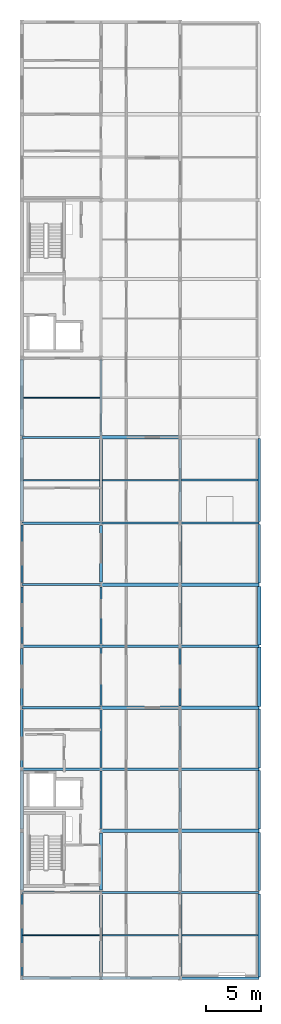
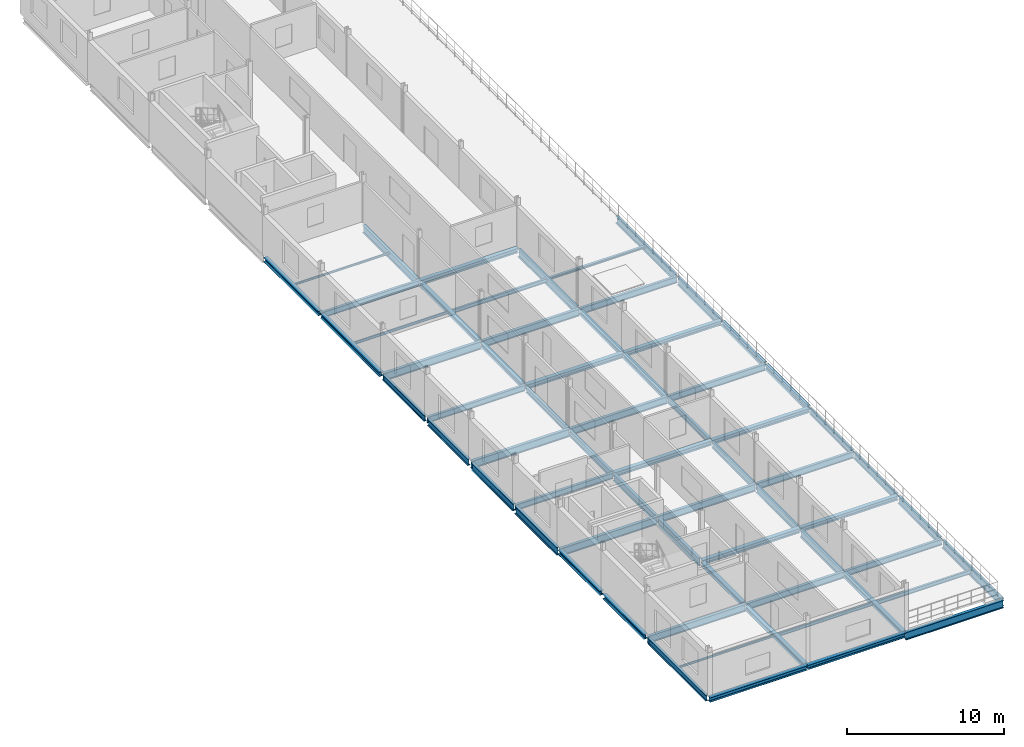
# One storey, part 5 of 14: 66 beams.
"""IFC4 building model written with IfcOpenShell, lengths in metres."""

from ifc_helpers import new_model, si_unit, direction, frame, origin, origin_2d, place, context, subcontext, project, spatial, i_section, extrude, material, material_profile, profile_set, type_object, element, save


model = new_model("IFC4")

# Units and contexts
model_context = context("Model", 3, precision=1e-05, world=origin(), true_north=direction((0.0, 1.0)))
body_context = subcontext(model_context, "Body", "Model", "MODEL_VIEW")
ifc_project = project(units=[si_unit("LENGTHUNIT", "METRE"), si_unit("AREAUNIT", "SQUARE_METRE"), si_unit("VOLUMEUNIT", "CUBIC_METRE"), si_unit("PLANEANGLEUNIT", "RADIAN"), si_unit("MASSUNIT", "GRAM", prefix="KILO")], contexts=[model_context])

# Site, building, storey
site_placement = place(None, origin())
site = spatial("IfcSite", under=ifc_project, at=site_placement, CompositionType="ELEMENT")
building_placement = place(site_placement, origin())
building = spatial("IfcBuilding", under=site, at=building_placement, Name="Vinh Khe Railworks Police Headquarters", CompositionType="ELEMENT")
storey_placement = place(building_placement, frame((0.0, 0.0, 32.699951171875)))
storey = spatial("IfcBuildingStorey", under=building, at=storey_placement, Name="L08", CompositionType="ELEMENT", Elevation=32.699951171875)

# Beams
ifc_material = material(Name="Steel S355JR", Category="steel")
ifc_material_profile_1 = material_profile(ifc_material, i_section(OverallWidth=0.179931640625, OverallDepth=0.1708984375, WebThickness=0.006103515625, FlangeThickness=0.009521484375, FilletRadius=0.014892578125, at=origin_2d()), Name="HEA 180")
ifc_profile_set_1 = profile_set([ifc_material_profile_1], Name="Steel S355JR")
beam_type_1 = type_object("IfcBeamType", Name="Secondary Joist HEA 180", PredefinedType="JOIST", material=ifc_profile_set_1)
beam_1_placement = place(storey_placement, frame((15.110107421875, 62.699951171875, -0.265380859375), z_axis=(1.0, 0.0, 0.0), x_axis=(0.0, 1.0, 0.0)))
element("IfcBeam", 1, at=beam_1_placement, inside=storey, type_object=beam_type_1, Name="Secondary Joist JST-L08-SJ-10-0081", PredefinedType="JOIST", context=body_context, shape_type="SweptSolid", body=[
    extrude(i_section(OverallWidth=0.179931640625, OverallDepth=0.1708984375, WebThickness=0.006103515625, FlangeThickness=0.009521484375, FilletRadius=0.014892578125, at=origin_2d()), origin(), (0.0, 0.0, 1.0), 6.98486328125),
])
ifc_material_profile_2 = material_profile(ifc_material, i_section(OverallWidth=0.08203125, OverallDepth=0.159912109375, WebThickness=0.0048828125, FlangeThickness=0.00732421875, FilletRadius=0.009033203125, at=origin_2d()), Name="IPE 160")
ifc_profile_set_2 = profile_set([ifc_material_profile_2], Name="Steel S355JR")
beam_type_2 = type_object("IfcBeamType", Name="Secondary Joist IPE 160", PredefinedType="JOIST", material=ifc_profile_set_2)
beam_2_placement = place(storey_placement, frame((0.695068359375, 21.300048828125, -0.260009765625), z_axis=(1.0, 0.0, 0.0), x_axis=(0.0, 1.0, 0.0)))
element("IfcBeam", 2, at=beam_2_placement, inside=storey, type_object=beam_type_2, Name="Secondary Joist JST-L08-SJ-08-0068", PredefinedType="JOIST", context=body_context, shape_type="SweptSolid", body=[
    extrude(i_section(OverallWidth=0.08203125, OverallDepth=0.159912109375, WebThickness=0.0048828125, FlangeThickness=0.00732421875, FilletRadius=0.009033203125, at=origin_2d()), origin(), (0.0, 0.0, 1.0), 6.954833984375),
])
beam_3_placement = place(storey_placement, frame((0.75, 70.199951171875, -0.260009765625), z_axis=(1.0, 0.0, 0.0), x_axis=(0.0, 1.0, 0.0)))
element("IfcBeam", 3, at=beam_3_placement, inside=storey, type_object=beam_type_2, Name="Secondary Joist JST-L08-SJ-08-0070", PredefinedType="JOIST", context=body_context, shape_type="SweptSolid", body=[
    extrude(i_section(OverallWidth=0.08203125, OverallDepth=0.159912109375, WebThickness=0.0048828125, FlangeThickness=0.00732421875, FilletRadius=0.009033203125, at=origin_2d()), origin(), (0.0, 0.0, 1.0), 6.93994140625),
])
ifc_material_profile_3 = material_profile(ifc_material, i_section(OverallWidth=0.10009765625, OverallDepth=0.199951171875, WebThickness=0.005615234375, FlangeThickness=0.008544921875, FilletRadius=0.011962890625, at=origin_2d()), Name="IPE 200")
ifc_profile_set_3 = profile_set([ifc_material_profile_3], Name="Steel S355JR")
beam_type_3 = type_object("IfcBeamType", Name="Secondary Joist IPE 200", PredefinedType="JOIST", material=ifc_profile_set_3)
beam_4_placement = place(storey_placement, frame((0.75, 62.699951171875, -0.280029296875), z_axis=(1.0, 0.0, 0.0), x_axis=(0.0, 1.0, 0.0)))
element("IfcBeam", 4, at=beam_4_placement, inside=storey, type_object=beam_type_3, Name="Secondary Joist JST-L08-SJ-06-0069", PredefinedType="JOIST", context=body_context, shape_type="SweptSolid", body=[
    extrude(i_section(OverallWidth=0.10009765625, OverallDepth=0.199951171875, WebThickness=0.005615234375, FlangeThickness=0.008544921875, FilletRadius=0.011962890625, at=origin_2d()), origin(), (0.0, 0.0, 1.0), 6.89990234375),
])
ifc_material_profile_4 = material_profile(ifc_material, i_section(OverallWidth=0.1201171875, OverallDepth=0.239990234375, WebThickness=0.006103515625, FlangeThickness=0.009765625, FilletRadius=0.014892578125, at=origin_2d()), Name="IPE 240")
ifc_profile_set_4 = profile_set([ifc_material_profile_4], Name="Steel S355JR")
beam_type_4 = type_object("IfcBeamType", Name="Secondary Joist IPE 240", PredefinedType="JOIST", material=ifc_profile_set_4)
beam_5_placement = place(storey_placement, frame((7.949951171875, 21.300048828125, -0.300048828125), z_axis=(1.0, 0.0, 0.0), x_axis=(0.0, 1.0, 0.0)))
element("IfcBeam", 5, at=beam_5_placement, inside=storey, type_object=beam_type_4, Name="Secondary Joist JST-L08-SJ-04-0073", PredefinedType="JOIST", context=body_context, shape_type="SweptSolid", body=[
    extrude(i_section(OverallWidth=0.1201171875, OverallDepth=0.239990234375, WebThickness=0.006103515625, FlangeThickness=0.009765625, FilletRadius=0.014892578125, at=origin_2d()), origin(), (0.0, 0.0, 1.0), 6.900146484375),
])
ifc_material_profile_5 = material_profile(ifc_material, i_section(OverallWidth=0.14990234375, OverallDepth=0.300048828125, WebThickness=0.007080078125, FlangeThickness=0.0107421875, FilletRadius=0.014892578125, at=origin_2d()), Name="IPE 300")
ifc_profile_set_5 = profile_set([ifc_material_profile_5], Name="Steel S355JR")
beam_type_5 = type_object("IfcBeamType", Name="Secondary Joist IPE 300", PredefinedType="JOIST", material=ifc_profile_set_5)
beam_6_placement = place(storey_placement, frame((7.949951171875, 62.699951171875, -0.329833984375), z_axis=(1.0, 0.0, 0.0), x_axis=(0.0, 1.0, 0.0)))
element("IfcBeam", 6, at=beam_6_placement, inside=storey, type_object=beam_type_5, Name="Secondary Joist JST-L08-SJ-02-0074", PredefinedType="JOIST", context=body_context, shape_type="SweptSolid", body=[
    extrude(i_section(OverallWidth=0.14990234375, OverallDepth=0.300048828125, WebThickness=0.007080078125, FlangeThickness=0.0107421875, FilletRadius=0.014892578125, at=origin_2d()), origin(), (0.0, 0.0, 1.0), 6.93994140625),
])
beam_7_placement = place(storey_placement, frame((15.14990234375, 21.300048828125, -0.329833984375), z_axis=(1.0, 0.0, 0.0), x_axis=(0.0, 1.0, 0.0)))
element("IfcBeam", 7, at=beam_7_placement, inside=storey, type_object=beam_type_5, Name="Secondary Joist JST-L08-SJ-02-0080", PredefinedType="JOIST", context=body_context, shape_type="SweptSolid", body=[
    extrude(i_section(OverallWidth=0.14990234375, OverallDepth=0.300048828125, WebThickness=0.007080078125, FlangeThickness=0.0107421875, FilletRadius=0.014892578125, at=origin_2d()), origin(), (0.0, 0.0, 1.0), 6.940185546875),
])
ifc_material_profile_6 = material_profile(ifc_material, i_section(OverallWidth=0.300048828125, OverallDepth=0.330078125, WebThickness=0.009521484375, FlangeThickness=0.0166015625, FilletRadius=0.027099609375, at=origin_2d()), Name="HEA 340")
ifc_profile_set_6 = profile_set([ifc_material_profile_6], Name="Steel S355JR")
beam_type_6 = type_object("IfcBeamType", Name="Steel Girder HEA 340", PredefinedType="BEAM", material=ifc_profile_set_6)
for number, where, z_axis, x_axis, name in (
    (8, (7.820068359375, 17.39990234375, -0.344970703125), (1.0, 0.0, 0.0), (0.0, 1.0, 0.0), "Girder BM-L08-EW-SB-16-1934"),
    (9, (15.02001953125, 30.800048828125, -0.344970703125), (1.0, 0.0, 0.0), (0.0, 1.0, 0.0), "Girder BM-L08-EW-SB-16-1940"),
    (10, (15.02001953125, 42.0, -0.344970703125), (1.0, 0.0, 0.0), (0.0, 1.0, 0.0), "Girder BM-L08-EW-SB-16-1946"),
    (11, (15.02001953125, 53.199951171875, -0.344970703125), (1.0, 0.0, 0.0), (0.0, 1.0, 0.0), "Girder BM-L08-EW-SB-16-1952"),
):
    element("IfcBeam", number, at=place(storey_placement, frame(where, z_axis=z_axis, x_axis=x_axis)), inside=storey, type_object=beam_type_6, Name=name, PredefinedType="BEAM", context=body_context, shape_type="SweptSolid", body=[
        extrude(i_section(OverallWidth=0.300048828125, OverallDepth=0.330078125, WebThickness=0.009521484375, FlangeThickness=0.0166015625, FilletRadius=0.027099609375, at=origin_2d()), origin(), (0.0, 0.0, 1.0), 7.159912109375),
    ])
beam_8_placement = place(storey_placement, frame((0.60009765625, 30.97509765625, -0.344970703125), z_axis=(0.0, 1.0, 0.0), x_axis=(-1.0, 0.0, 0.0)))
element("IfcBeam", 12, at=beam_8_placement, inside=storey, type_object=beam_type_6, Name="Girder BM-L08-NS-SB-16-1976", PredefinedType="BEAM", context=body_context, shape_type="SweptSolid", body=[
    extrude(i_section(OverallWidth=0.300048828125, OverallDepth=0.330078125, WebThickness=0.009521484375, FlangeThickness=0.0166015625, FilletRadius=0.027099609375, at=origin_2d()), origin(), (0.0, 0.0, 1.0), 5.294921875),
])
beam_9_placement = place(storey_placement, frame((0.60009765625, 66.72998046875, -0.344970703125), z_axis=(0.0, 1.0, 0.0), x_axis=(-1.0, 0.0, 0.0)))
element("IfcBeam", 13, at=beam_9_placement, inside=storey, type_object=beam_type_6, Name="Girder BM-L08-NS-SB-16-1982", PredefinedType="BEAM", context=body_context, shape_type="SweptSolid", body=[
    extrude(i_section(OverallWidth=0.300048828125, OverallDepth=0.330078125, WebThickness=0.009521484375, FlangeThickness=0.0166015625, FilletRadius=0.027099609375, at=origin_2d()), origin(), (0.0, 0.0, 1.0), 6.9599609375),
])
beam_10_placement = place(storey_placement, frame((7.800048828125, 25.425048828125, -0.344970703125), z_axis=(0.0, 1.0, 0.0), x_axis=(-1.0, 0.0, 0.0)))
element("IfcBeam", 14, at=beam_10_placement, inside=storey, type_object=beam_type_6, Name="Girder BM-L08-NS-SB-16-1988", PredefinedType="BEAM", context=body_context, shape_type="SweptSolid", body=[
    extrude(i_section(OverallWidth=0.300048828125, OverallDepth=0.330078125, WebThickness=0.009521484375, FlangeThickness=0.0166015625, FilletRadius=0.027099609375, at=origin_2d()), origin(), (0.0, 0.0, 1.0), 5.175048828125),
])
beam_11_placement = place(storey_placement, frame((7.800048828125, 59.0, -0.344970703125), z_axis=(0.0, 1.0, 0.0), x_axis=(-1.0, 0.0, 0.0)))
element("IfcBeam", 15, at=beam_11_placement, inside=storey, type_object=beam_type_6, Name="Girder BM-L08-NS-SB-16-1994", PredefinedType="BEAM", context=body_context, shape_type="SweptSolid", body=[
    extrude(i_section(OverallWidth=0.300048828125, OverallDepth=0.330078125, WebThickness=0.009521484375, FlangeThickness=0.0166015625, FilletRadius=0.027099609375, at=origin_2d()), origin(), (0.0, 0.0, 1.0), 7.425048828125),
])
beam_12_placement = place(storey_placement, frame((15.0, 17.530029296875, -0.344970703125), z_axis=(0.0, 1.0, 0.0), x_axis=(-1.0, 0.0, 0.0)))
element("IfcBeam", 16, at=beam_12_placement, inside=storey, type_object=beam_type_6, Name="Girder BM-L08-NS-SB-16-2000", PredefinedType="BEAM", context=body_context, shape_type="SweptSolid", body=[
    extrude(i_section(OverallWidth=0.300048828125, OverallDepth=0.330078125, WebThickness=0.009521484375, FlangeThickness=0.0166015625, FilletRadius=0.027099609375, at=origin_2d()), origin(), (0.0, 0.0, 1.0), 7.56005859375),
])
beam_13_placement = place(storey_placement, frame((15.0, 53.31005859375, -0.344970703125), z_axis=(0.0, 1.0, 0.0), x_axis=(-1.0, 0.0, 0.0)))
element("IfcBeam", 17, at=beam_13_placement, inside=storey, type_object=beam_type_6, Name="Girder BM-L08-NS-SB-16-2006", PredefinedType="BEAM", context=body_context, shape_type="SweptSolid", body=[
    extrude(i_section(OverallWidth=0.300048828125, OverallDepth=0.330078125, WebThickness=0.009521484375, FlangeThickness=0.0166015625, FilletRadius=0.027099609375, at=origin_2d()), origin(), (0.0, 0.0, 1.0), 5.264892578125),
])
beam_14_placement = place(storey_placement, frame((22.199951171875, 47.695068359375, -0.344970703125), z_axis=(0.0, 1.0, 0.0), x_axis=(-1.0, 0.0, 0.0)))
element("IfcBeam", 18, at=beam_14_placement, inside=storey, type_object=beam_type_6, Name="Girder BM-L08-NS-SB-16-2018", PredefinedType="BEAM", context=body_context, shape_type="SweptSolid", body=[
    extrude(i_section(OverallWidth=0.300048828125, OverallDepth=0.330078125, WebThickness=0.009521484375, FlangeThickness=0.0166015625, FilletRadius=0.027099609375, at=origin_2d()), origin(), (0.0, 0.0, 1.0), 5.349853515625),
])
ifc_material_profile_7 = material_profile(ifc_material, i_section(OverallWidth=0.300048828125, OverallDepth=0.35009765625, WebThickness=0.010009765625, FlangeThickness=0.017578125, FilletRadius=0.027099609375, at=origin_2d()), Name="HEA 360")
ifc_profile_set_7 = profile_set([ifc_material_profile_7], Name="Steel S355JR")
beam_type_7 = type_object("IfcBeamType", Name="Steel Girder HEA 360", PredefinedType="BEAM", material=ifc_profile_set_7)
for number, where, z_axis, x_axis, name in (
    (19, (0.6201171875, 17.39990234375, -0.35498046875), (1.0, 0.0, 0.0), (0.0, 1.0, 0.0), "Girder BM-L08-EW-SB-15-1933"),
    (20, (7.820068359375, 30.800048828125, -0.35498046875), (1.0, 0.0, 0.0), (0.0, 1.0, 0.0), "Girder BM-L08-EW-SB-15-1939"),
    (21, (7.820068359375, 42.0, -0.35498046875), (1.0, 0.0, 0.0), (0.0, 1.0, 0.0), "Girder BM-L08-EW-SB-15-1945"),
    (22, (7.820068359375, 53.199951171875, -0.35498046875), (1.0, 0.0, 0.0), (0.0, 1.0, 0.0), "Girder BM-L08-EW-SB-15-1951"),
    (23, (7.820068359375, 66.60009765625, -0.35498046875), (1.0, 0.0, 0.0), (0.0, 1.0, 0.0), "Girder BM-L08-EW-SB-15-1957"),
):
    element("IfcBeam", number, at=place(storey_placement, frame(where, z_axis=z_axis, x_axis=x_axis)), inside=storey, type_object=beam_type_7, Name=name, PredefinedType="BEAM", context=body_context, shape_type="SweptSolid", body=[
        extrude(i_section(OverallWidth=0.300048828125, OverallDepth=0.35009765625, WebThickness=0.010009765625, FlangeThickness=0.017578125, FilletRadius=0.027099609375, at=origin_2d()), origin(), (0.0, 0.0, 1.0), 7.159912109375),
    ])
beam_15_placement = place(storey_placement, frame((0.60009765625, 25.39990234375, -0.35498046875), z_axis=(0.0, 1.0, 0.0), x_axis=(-1.0, 0.0, 0.0)))
element("IfcBeam", 24, at=beam_15_placement, inside=storey, type_object=beam_type_7, Name="Girder BM-L08-NS-SB-15-1975", PredefinedType="BEAM", context=body_context, shape_type="SweptSolid", body=[
    extrude(i_section(OverallWidth=0.300048828125, OverallDepth=0.35009765625, WebThickness=0.010009765625, FlangeThickness=0.017578125, FilletRadius=0.027099609375, at=origin_2d()), origin(), (0.0, 0.0, 1.0), 5.22509765625),
])
beam_16_placement = place(storey_placement, frame((0.60009765625, 58.97509765625, -0.35498046875), z_axis=(0.0, 1.0, 0.0), x_axis=(-1.0, 0.0, 0.0)))
element("IfcBeam", 25, at=beam_16_placement, inside=storey, type_object=beam_type_7, Name="Girder BM-L08-NS-SB-15-1981", PredefinedType="BEAM", context=body_context, shape_type="SweptSolid", body=[
    extrude(i_section(OverallWidth=0.300048828125, OverallDepth=0.35009765625, WebThickness=0.010009765625, FlangeThickness=0.017578125, FilletRadius=0.027099609375, at=origin_2d()), origin(), (0.0, 0.0, 1.0), 7.494873046875),
])
beam_17_placement = place(storey_placement, frame((7.800048828125, 17.510009765625, -0.35498046875), z_axis=(0.0, 1.0, 0.0), x_axis=(-1.0, 0.0, 0.0)))
element("IfcBeam", 26, at=beam_17_placement, inside=storey, type_object=beam_type_7, Name="Girder BM-L08-NS-SB-15-1987", PredefinedType="BEAM", context=body_context, shape_type="SweptSolid", body=[
    extrude(i_section(OverallWidth=0.300048828125, OverallDepth=0.35009765625, WebThickness=0.010009765625, FlangeThickness=0.017578125, FilletRadius=0.027099609375, at=origin_2d()), origin(), (0.0, 0.0, 1.0), 7.465087890625),
])
beam_18_placement = place(storey_placement, frame((7.800048828125, 53.425048828125, -0.35498046875), z_axis=(0.0, 1.0, 0.0), x_axis=(-1.0, 0.0, 0.0)))
element("IfcBeam", 27, at=beam_18_placement, inside=storey, type_object=beam_type_7, Name="Girder BM-L08-NS-SB-15-1993", PredefinedType="BEAM", context=body_context, shape_type="SweptSolid", body=[
    extrude(i_section(OverallWidth=0.300048828125, OverallDepth=0.35009765625, WebThickness=0.010009765625, FlangeThickness=0.017578125, FilletRadius=0.027099609375, at=origin_2d()), origin(), (0.0, 0.0, 1.0), 5.175048828125),
])
beam_19_placement = place(storey_placement, frame((15.0, 47.72998046875, -0.35498046875), z_axis=(0.0, 1.0, 0.0), x_axis=(-1.0, 0.0, 0.0)))
element("IfcBeam", 28, at=beam_19_placement, inside=storey, type_object=beam_type_7, Name="Girder BM-L08-NS-SB-15-2005", PredefinedType="BEAM", context=body_context, shape_type="SweptSolid", body=[
    extrude(i_section(OverallWidth=0.300048828125, OverallDepth=0.35009765625, WebThickness=0.010009765625, FlangeThickness=0.017578125, FilletRadius=0.027099609375, at=origin_2d()), origin(), (0.0, 0.0, 1.0), 5.360107421875),
])
beam_20_placement = place(storey_placement, frame((22.199951171875, 42.114990234375, -0.35498046875), z_axis=(0.0, 1.0, 0.0), x_axis=(-1.0, 0.0, 0.0)))
element("IfcBeam", 29, at=beam_20_placement, inside=storey, type_object=beam_type_7, Name="Girder BM-L08-NS-SB-15-2017", PredefinedType="BEAM", context=body_context, shape_type="SweptSolid", body=[
    extrude(i_section(OverallWidth=0.300048828125, OverallDepth=0.35009765625, WebThickness=0.010009765625, FlangeThickness=0.017578125, FilletRadius=0.027099609375, at=origin_2d()), origin(), (0.0, 0.0, 1.0), 5.389892578125),
])
ifc_material_profile_8 = material_profile(ifc_material, i_section(OverallWidth=0.18994140625, OverallDepth=0.449951171875, WebThickness=0.009521484375, FlangeThickness=0.0146484375, FilletRadius=0.02099609375, at=origin_2d()), Name="IPE 450")
ifc_profile_set_8 = profile_set([ifc_material_profile_8], Name="Steel S355JR")
beam_type_8 = type_object("IfcBeamType", Name="Steel Girder IPE 450", PredefinedType="BEAM", material=ifc_profile_set_8)
for number, where, z_axis, x_axis, name in (
    (30, (15.02001953125, 25.199951171875, -0.405029296875), (1.0, 0.0, 0.0), (0.0, 1.0, 0.0), "Girder BM-L08-EW-SB-20-1938"),
    (31, (0.6201171875, 42.0, -0.405029296875), (1.0, 0.0, 0.0), (0.0, 1.0, 0.0), "Girder BM-L08-EW-SB-20-1944"),
    (32, (0.6201171875, 53.199951171875, -0.405029296875), (1.0, 0.0, 0.0), (0.0, 1.0, 0.0), "Girder BM-L08-EW-SB-20-1950"),
    (33, (0.6201171875, 66.60009765625, -0.405029296875), (1.0, 0.0, 0.0), (0.0, 1.0, 0.0), "Girder BM-L08-EW-SB-20-1956"),
):
    element("IfcBeam", number, at=place(storey_placement, frame(where, z_axis=z_axis, x_axis=x_axis)), inside=storey, type_object=beam_type_8, Name=name, PredefinedType="BEAM", context=body_context, shape_type="SweptSolid", body=[
        extrude(i_section(OverallWidth=0.18994140625, OverallDepth=0.449951171875, WebThickness=0.009521484375, FlangeThickness=0.0146484375, FilletRadius=0.02099609375, at=origin_2d()), origin(), (0.0, 0.0, 1.0), 7.159912109375),
    ])
beam_21_placement = place(storey_placement, frame((0.60009765625, 17.625, -0.405029296875), z_axis=(0.0, 1.0, 0.0), x_axis=(-1.0, 0.0, 0.0)))
element("IfcBeam", 34, at=beam_21_placement, inside=storey, type_object=beam_type_8, Name="Girder BM-L08-NS-SB-20-1974", PredefinedType="BEAM", context=body_context, shape_type="SweptSolid", body=[
    extrude(i_section(OverallWidth=0.18994140625, OverallDepth=0.449951171875, WebThickness=0.009521484375, FlangeThickness=0.0146484375, FilletRadius=0.02099609375, at=origin_2d()), origin(), (0.0, 0.0, 1.0), 7.375),
])
beam_22_placement = place(storey_placement, frame((0.60009765625, 53.39990234375, -0.405029296875), z_axis=(0.0, 1.0, 0.0), x_axis=(-1.0, 0.0, 0.0)))
element("IfcBeam", 35, at=beam_22_placement, inside=storey, type_object=beam_type_8, Name="Girder BM-L08-NS-SB-20-1980", PredefinedType="BEAM", context=body_context, shape_type="SweptSolid", body=[
    extrude(i_section(OverallWidth=0.18994140625, OverallDepth=0.449951171875, WebThickness=0.009521484375, FlangeThickness=0.0146484375, FilletRadius=0.02099609375, at=origin_2d()), origin(), (0.0, 0.0, 1.0), 5.22509765625),
])
beam_23_placement = place(storey_placement, frame((7.800048828125, 47.7099609375, -0.405029296875), z_axis=(0.0, 1.0, 0.0), x_axis=(-1.0, 0.0, 0.0)))
element("IfcBeam", 36, at=beam_23_placement, inside=storey, type_object=beam_type_8, Name="Girder BM-L08-NS-SB-20-1992", PredefinedType="BEAM", context=body_context, shape_type="SweptSolid", body=[
    extrude(i_section(OverallWidth=0.18994140625, OverallDepth=0.449951171875, WebThickness=0.009521484375, FlangeThickness=0.0146484375, FilletRadius=0.02099609375, at=origin_2d()), origin(), (0.0, 0.0, 1.0), 5.26513671875),
])
beam_24_placement = place(storey_placement, frame((15.0, 42.175048828125, -0.405029296875), z_axis=(0.0, 1.0, 0.0), x_axis=(-1.0, 0.0, 0.0)))
element("IfcBeam", 37, at=beam_24_placement, inside=storey, type_object=beam_type_8, Name="Girder BM-L08-NS-SB-20-2004", PredefinedType="BEAM", context=body_context, shape_type="SweptSolid", body=[
    extrude(i_section(OverallWidth=0.18994140625, OverallDepth=0.449951171875, WebThickness=0.009521484375, FlangeThickness=0.0146484375, FilletRadius=0.02099609375, at=origin_2d()), origin(), (0.0, 0.0, 1.0), 5.294921875),
])
beam_25_placement = place(storey_placement, frame((22.199951171875, 36.52490234375, -0.405029296875), z_axis=(0.0, 1.0, 0.0), x_axis=(-1.0, 0.0, 0.0)))
element("IfcBeam", 38, at=beam_25_placement, inside=storey, type_object=beam_type_8, Name="Girder BM-L08-NS-SB-20-2016", PredefinedType="BEAM", context=body_context, shape_type="SweptSolid", body=[
    extrude(i_section(OverallWidth=0.18994140625, OverallDepth=0.449951171875, WebThickness=0.009521484375, FlangeThickness=0.0146484375, FilletRadius=0.02099609375, at=origin_2d()), origin(), (0.0, 0.0, 1.0), 5.360107421875),
])
ifc_material_profile_9 = material_profile(ifc_material, i_section(OverallWidth=0.199951171875, OverallDepth=0.5, WebThickness=0.01025390625, FlangeThickness=0.01611328125, FilletRadius=0.02099609375, at=origin_2d()), Name="IPE 500")
ifc_profile_set_9 = profile_set([ifc_material_profile_9], Name="Steel S355JR")
beam_type_9 = type_object("IfcBeamType", Name="Steel Girder IPE 500", PredefinedType="BEAM", material=ifc_profile_set_9)
for number, where, z_axis, x_axis, name in (
    (39, (7.820068359375, 25.199951171875, -0.429931640625), (1.0, 0.0, 0.0), (0.0, 1.0, 0.0), "Girder BM-L08-EW-SB-19-1937"),
    (40, (15.02001953125, 36.39990234375, -0.429931640625), (1.0, 0.0, 0.0), (0.0, 1.0, 0.0), "Girder BM-L08-EW-SB-19-1943"),
    (41, (15.02001953125, 47.60009765625, -0.429931640625), (1.0, 0.0, 0.0), (0.0, 1.0, 0.0), "Girder BM-L08-EW-SB-19-1949"),
    (42, (15.02001953125, 58.800048828125, -0.429931640625), (1.0, 0.0, 0.0), (0.0, 1.0, 0.0), "Girder BM-L08-EW-SB-19-1955"),
):
    element("IfcBeam", number, at=place(storey_placement, frame(where, z_axis=z_axis, x_axis=x_axis)), inside=storey, type_object=beam_type_9, Name=name, PredefinedType="BEAM", context=body_context, shape_type="SweptSolid", body=[
        extrude(i_section(OverallWidth=0.199951171875, OverallDepth=0.5, WebThickness=0.01025390625, FlangeThickness=0.01611328125, FilletRadius=0.02099609375, at=origin_2d()), origin(), (0.0, 0.0, 1.0), 7.159912109375),
    ])
beam_26_placement = place(storey_placement, frame((0.60009765625, 47.824951171875, -0.429931640625), z_axis=(0.0, 1.0, 0.0), x_axis=(-1.0, 0.0, 0.0)))
element("IfcBeam", 43, at=beam_26_placement, inside=storey, type_object=beam_type_9, Name="Girder BM-L08-NS-SB-19-1979", PredefinedType="BEAM", context=body_context, shape_type="SweptSolid", body=[
    extrude(i_section(OverallWidth=0.199951171875, OverallDepth=0.5, WebThickness=0.01025390625, FlangeThickness=0.01611328125, FilletRadius=0.02099609375, at=origin_2d()), origin(), (0.0, 0.0, 1.0), 5.175048828125),
])
beam_27_placement = place(storey_placement, frame((7.800048828125, 42.1298828125, -0.429931640625), z_axis=(0.0, 1.0, 0.0), x_axis=(-1.0, 0.0, 0.0)))
element("IfcBeam", 44, at=beam_27_placement, inside=storey, type_object=beam_type_9, Name="Girder BM-L08-NS-SB-19-1991", PredefinedType="BEAM", context=body_context, shape_type="SweptSolid", body=[
    extrude(i_section(OverallWidth=0.199951171875, OverallDepth=0.5, WebThickness=0.01025390625, FlangeThickness=0.01611328125, FilletRadius=0.02099609375, at=origin_2d()), origin(), (0.0, 0.0, 1.0), 5.360107421875),
])
beam_28_placement = place(storey_placement, frame((15.0, 36.60009765625, -0.429931640625), z_axis=(0.0, 1.0, 0.0), x_axis=(-1.0, 0.0, 0.0)))
element("IfcBeam", 45, at=beam_28_placement, inside=storey, type_object=beam_type_9, Name="Girder BM-L08-NS-SB-19-2003", PredefinedType="BEAM", context=body_context, shape_type="SweptSolid", body=[
    extrude(i_section(OverallWidth=0.199951171875, OverallDepth=0.5, WebThickness=0.01025390625, FlangeThickness=0.01611328125, FilletRadius=0.02099609375, at=origin_2d()), origin(), (0.0, 0.0, 1.0), 5.224853515625),
])
beam_29_placement = place(storey_placement, frame((22.199951171875, 30.945068359375, -0.429931640625), z_axis=(0.0, 1.0, 0.0), x_axis=(-1.0, 0.0, 0.0)))
element("IfcBeam", 46, at=beam_29_placement, inside=storey, type_object=beam_type_9, Name="Girder BM-L08-NS-SB-19-2015", PredefinedType="BEAM", context=body_context, shape_type="SweptSolid", body=[
    extrude(i_section(OverallWidth=0.199951171875, OverallDepth=0.5, WebThickness=0.01025390625, FlangeThickness=0.01611328125, FilletRadius=0.02099609375, at=origin_2d()), origin(), (0.0, 0.0, 1.0), 5.329833984375),
])
ifc_material_profile_10 = material_profile(ifc_material, i_section(OverallWidth=0.2099609375, OverallDepth=0.550048828125, WebThickness=0.010986328125, FlangeThickness=0.01708984375, FilletRadius=0.02392578125, at=origin_2d()), Name="IPE 550")
ifc_profile_set_10 = profile_set([ifc_material_profile_10], Name="Steel S355JR")
beam_type_10 = type_object("IfcBeamType", Name="Steel Girder IPE 550", PredefinedType="BEAM", material=ifc_profile_set_10)
for number, where, z_axis, x_axis, name in (
    (47, (0.6201171875, 25.199951171875, -0.454833984375), (1.0, 0.0, 0.0), (0.0, 1.0, 0.0), "Girder BM-L08-EW-SB-18-1936"),
    (48, (7.820068359375, 36.39990234375, -0.454833984375), (1.0, 0.0, 0.0), (0.0, 1.0, 0.0), "Girder BM-L08-EW-SB-18-1942"),
    (49, (7.820068359375, 47.60009765625, -0.454833984375), (1.0, 0.0, 0.0), (0.0, 1.0, 0.0), "Girder BM-L08-EW-SB-18-1948"),
    (50, (7.820068359375, 58.800048828125, -0.454833984375), (1.0, 0.0, 0.0), (0.0, 1.0, 0.0), "Girder BM-L08-EW-SB-18-1954"),
):
    element("IfcBeam", number, at=place(storey_placement, frame(where, z_axis=z_axis, x_axis=x_axis)), inside=storey, type_object=beam_type_10, Name=name, PredefinedType="BEAM", context=body_context, shape_type="SweptSolid", body=[
        extrude(i_section(OverallWidth=0.2099609375, OverallDepth=0.550048828125, WebThickness=0.010986328125, FlangeThickness=0.01708984375, FilletRadius=0.02392578125, at=origin_2d()), origin(), (0.0, 0.0, 1.0), 7.159912109375),
    ])
beam_30_placement = place(storey_placement, frame((0.60009765625, 42.110107421875, -0.454833984375), z_axis=(0.0, 1.0, 0.0), x_axis=(-1.0, 0.0, 0.0)))
element("IfcBeam", 51, at=beam_30_placement, inside=storey, type_object=beam_type_10, Name="Girder BM-L08-NS-SB-18-1978", PredefinedType="BEAM", context=body_context, shape_type="SweptSolid", body=[
    extrude(i_section(OverallWidth=0.2099609375, OverallDepth=0.550048828125, WebThickness=0.010986328125, FlangeThickness=0.01708984375, FilletRadius=0.02392578125, at=origin_2d()), origin(), (0.0, 0.0, 1.0), 5.264892578125),
])
beam_31_placement = place(storey_placement, frame((7.800048828125, 36.574951171875, -0.454833984375), z_axis=(0.0, 1.0, 0.0), x_axis=(-1.0, 0.0, 0.0)))
element("IfcBeam", 52, at=beam_31_placement, inside=storey, type_object=beam_type_10, Name="Girder BM-L08-NS-SB-18-1990", PredefinedType="BEAM", context=body_context, shape_type="SweptSolid", body=[
    extrude(i_section(OverallWidth=0.2099609375, OverallDepth=0.550048828125, WebThickness=0.010986328125, FlangeThickness=0.01708984375, FilletRadius=0.02392578125, at=origin_2d()), origin(), (0.0, 0.0, 1.0), 5.295166015625),
])
beam_32_placement = place(storey_placement, frame((15.0, 31.02490234375, -0.454833984375), z_axis=(0.0, 1.0, 0.0), x_axis=(-1.0, 0.0, 0.0)))
element("IfcBeam", 53, at=beam_32_placement, inside=storey, type_object=beam_type_10, Name="Girder BM-L08-NS-SB-18-2002", PredefinedType="BEAM", context=body_context, shape_type="SweptSolid", body=[
    extrude(i_section(OverallWidth=0.2099609375, OverallDepth=0.550048828125, WebThickness=0.010986328125, FlangeThickness=0.01708984375, FilletRadius=0.02392578125, at=origin_2d()), origin(), (0.0, 0.0, 1.0), 5.175048828125),
])
beam_33_placement = place(storey_placement, frame((22.199951171875, 25.35498046875, -0.454833984375), z_axis=(0.0, 1.0, 0.0), x_axis=(-1.0, 0.0, 0.0)))
element("IfcBeam", 54, at=beam_33_placement, inside=storey, type_object=beam_type_10, Name="Girder BM-L08-NS-SB-18-2014", PredefinedType="BEAM", context=body_context, shape_type="SweptSolid", body=[
    extrude(i_section(OverallWidth=0.2099609375, OverallDepth=0.550048828125, WebThickness=0.010986328125, FlangeThickness=0.01708984375, FilletRadius=0.02392578125, at=origin_2d()), origin(), (0.0, 0.0, 1.0), 5.300048828125),
])
beam_34_placement = place(storey_placement, frame((22.199951171875, 58.945068359375, -0.454833984375), z_axis=(0.0, 1.0, 0.0), x_axis=(-1.0, 0.0, 0.0)))
element("IfcBeam", 55, at=beam_34_placement, inside=storey, type_object=beam_type_10, Name="Girder BM-L08-NS-SB-18-2020", PredefinedType="BEAM", context=body_context, shape_type="SweptSolid", body=[
    extrude(i_section(OverallWidth=0.2099609375, OverallDepth=0.550048828125, WebThickness=0.010986328125, FlangeThickness=0.01708984375, FilletRadius=0.02392578125, at=origin_2d()), origin(), (0.0, 0.0, 1.0), 7.530029296875),
])
ifc_material_profile_11 = material_profile(ifc_material, i_section(OverallWidth=0.219970703125, OverallDepth=0.60009765625, WebThickness=0.011962890625, FlangeThickness=0.01904296875, FilletRadius=0.02392578125, at=origin_2d()), Name="IPE 600")
ifc_profile_set_11 = profile_set([ifc_material_profile_11], Name="Steel S355JR")
beam_type_11 = type_object("IfcBeamType", Name="Steel Girder IPE 600", PredefinedType="BEAM", material=ifc_profile_set_11)
for number, where, z_axis, x_axis, name in (
    (56, (15.02001953125, 17.39990234375, -0.47998046875), (1.0, 0.0, 0.0), (0.0, 1.0, 0.0), "Girder BM-L08-EW-SB-17-1935"),
    (57, (0.6201171875, 36.39990234375, -0.47998046875), (1.0, 0.0, 0.0), (0.0, 1.0, 0.0), "Girder BM-L08-EW-SB-17-1941"),
    (58, (0.6201171875, 47.60009765625, -0.47998046875), (1.0, 0.0, 0.0), (0.0, 1.0, 0.0), "Girder BM-L08-EW-SB-17-1947"),
    (59, (0.6201171875, 58.800048828125, -0.47998046875), (1.0, 0.0, 0.0), (0.0, 1.0, 0.0), "Girder BM-L08-EW-SB-17-1953"),
):
    element("IfcBeam", number, at=place(storey_placement, frame(where, z_axis=z_axis, x_axis=x_axis)), inside=storey, type_object=beam_type_11, Name=name, PredefinedType="BEAM", context=body_context, shape_type="SweptSolid", body=[
        extrude(i_section(OverallWidth=0.219970703125, OverallDepth=0.60009765625, WebThickness=0.011962890625, FlangeThickness=0.01904296875, FilletRadius=0.02392578125, at=origin_2d()), origin(), (0.0, 0.0, 1.0), 7.159912109375),
    ])
beam_35_placement = place(storey_placement, frame((0.60009765625, 36.530029296875, -0.47998046875), z_axis=(0.0, 1.0, 0.0), x_axis=(-1.0, 0.0, 0.0)))
element("IfcBeam", 60, at=beam_35_placement, inside=storey, type_object=beam_type_11, Name="Girder BM-L08-NS-SB-17-1977", PredefinedType="BEAM", context=body_context, shape_type="SweptSolid", body=[
    extrude(i_section(OverallWidth=0.219970703125, OverallDepth=0.60009765625, WebThickness=0.011962890625, FlangeThickness=0.01904296875, FilletRadius=0.02392578125, at=origin_2d()), origin(), (0.0, 0.0, 1.0), 5.35986328125),
])
beam_36_placement = place(storey_placement, frame((7.800048828125, 31.0, -0.47998046875), z_axis=(0.0, 1.0, 0.0), x_axis=(-1.0, 0.0, 0.0)))
element("IfcBeam", 61, at=beam_36_placement, inside=storey, type_object=beam_type_11, Name="Girder BM-L08-NS-SB-17-1989", PredefinedType="BEAM", context=body_context, shape_type="SweptSolid", body=[
    extrude(i_section(OverallWidth=0.219970703125, OverallDepth=0.60009765625, WebThickness=0.011962890625, FlangeThickness=0.01904296875, FilletRadius=0.02392578125, at=origin_2d()), origin(), (0.0, 0.0, 1.0), 5.22509765625),
])
beam_37_placement = place(storey_placement, frame((7.800048828125, 66.77490234375, -0.47998046875), z_axis=(0.0, 1.0, 0.0), x_axis=(-1.0, 0.0, 0.0)))
element("IfcBeam", 62, at=beam_37_placement, inside=storey, type_object=beam_type_11, Name="Girder BM-L08-NS-SB-17-1995", PredefinedType="BEAM", context=body_context, shape_type="SweptSolid", body=[
    extrude(i_section(OverallWidth=0.219970703125, OverallDepth=0.60009765625, WebThickness=0.011962890625, FlangeThickness=0.01904296875, FilletRadius=0.02392578125, at=origin_2d()), origin(), (0.0, 0.0, 1.0), 6.89501953125),
])
beam_38_placement = place(storey_placement, frame((15.0, 25.31005859375, -0.47998046875), z_axis=(0.0, 1.0, 0.0), x_axis=(-1.0, 0.0, 0.0)))
element("IfcBeam", 63, at=beam_38_placement, inside=storey, type_object=beam_type_11, Name="Girder BM-L08-NS-SB-17-2001", PredefinedType="BEAM", context=body_context, shape_type="SweptSolid", body=[
    extrude(i_section(OverallWidth=0.219970703125, OverallDepth=0.60009765625, WebThickness=0.011962890625, FlangeThickness=0.01904296875, FilletRadius=0.02392578125, at=origin_2d()), origin(), (0.0, 0.0, 1.0), 5.264892578125),
])
beam_39_placement = place(storey_placement, frame((15.0, 59.02490234375, -0.47998046875), z_axis=(0.0, 1.0, 0.0), x_axis=(-1.0, 0.0, 0.0)))
element("IfcBeam", 64, at=beam_39_placement, inside=storey, type_object=beam_type_11, Name="Girder BM-L08-NS-SB-17-2007", PredefinedType="BEAM", context=body_context, shape_type="SweptSolid", body=[
    extrude(i_section(OverallWidth=0.219970703125, OverallDepth=0.60009765625, WebThickness=0.011962890625, FlangeThickness=0.01904296875, FilletRadius=0.02392578125, at=origin_2d()), origin(), (0.0, 0.0, 1.0), 7.375),
])
beam_40_placement = place(storey_placement, frame((22.199951171875, 17.4951171875, -0.47998046875), z_axis=(0.0, 1.0, 0.0), x_axis=(-1.0, 0.0, 0.0)))
element("IfcBeam", 65, at=beam_40_placement, inside=storey, type_object=beam_type_11, Name="Girder BM-L08-NS-SB-17-2013", PredefinedType="BEAM", context=body_context, shape_type="SweptSolid", body=[
    extrude(i_section(OverallWidth=0.219970703125, OverallDepth=0.60009765625, WebThickness=0.011962890625, FlangeThickness=0.01904296875, FilletRadius=0.02392578125, at=origin_2d()), origin(), (0.0, 0.0, 1.0), 7.5498046875),
])
beam_41_placement = place(storey_placement, frame((22.199951171875, 53.35498046875, -0.47998046875), z_axis=(0.0, 1.0, 0.0), x_axis=(-1.0, 0.0, 0.0)))
element("IfcBeam", 66, at=beam_41_placement, inside=storey, type_object=beam_type_11, Name="Girder BM-L08-NS-SB-17-2019", PredefinedType="BEAM", context=body_context, shape_type="SweptSolid", body=[
    extrude(i_section(OverallWidth=0.219970703125, OverallDepth=0.60009765625, WebThickness=0.011962890625, FlangeThickness=0.01904296875, FilletRadius=0.02392578125, at=origin_2d()), origin(), (0.0, 0.0, 1.0), 5.300048828125),
])

save(model, "model.ifc")
